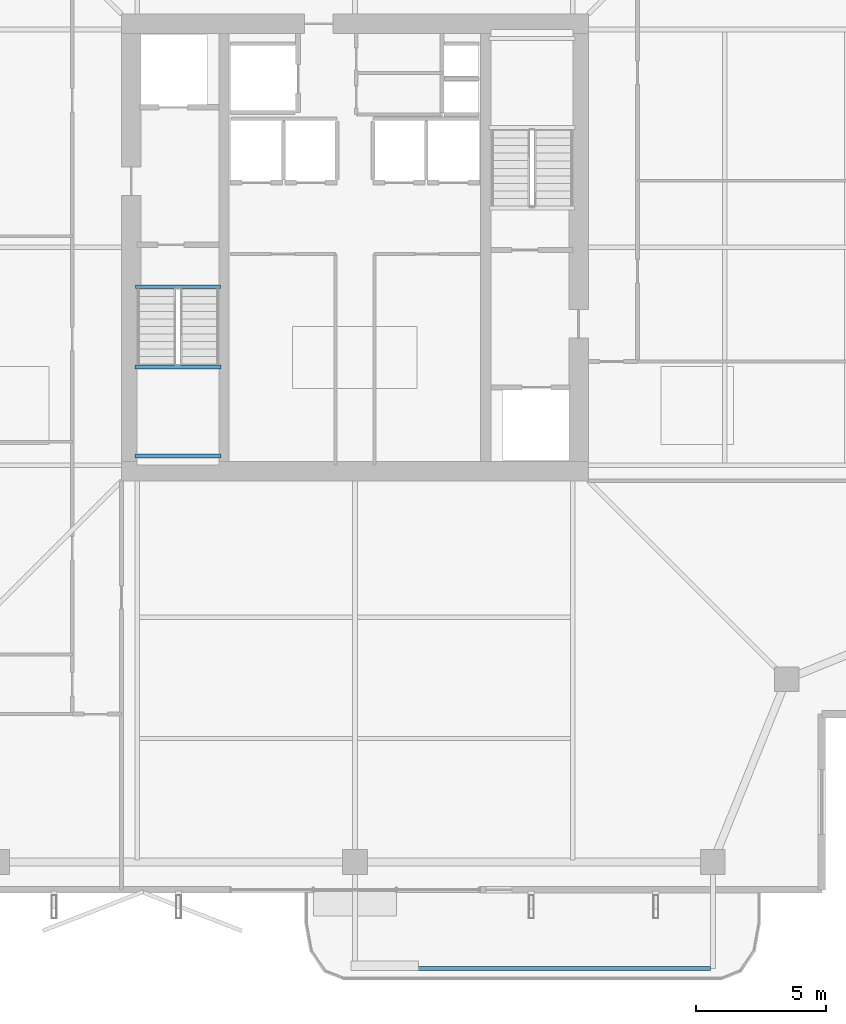
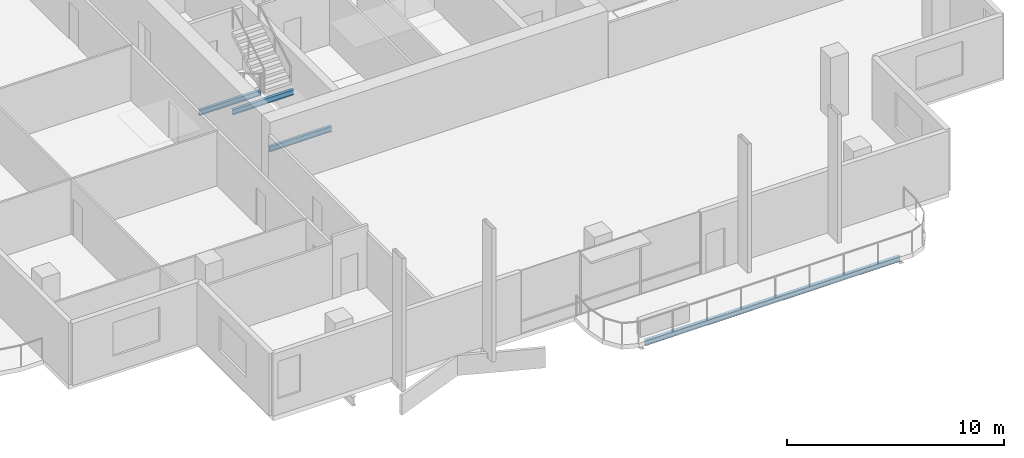
# One storey, part 7 of 25: 4 beams.
"""IFC4 building model written with IfcOpenShell, lengths in metres."""

from ifc_helpers import new_model, si_unit, direction, frame, origin, origin_2d, place, context, subcontext, project, spatial, i_section, extrude, material, material_profile, profile_set, type_object, element, save


model = new_model("IFC4")

# Units and contexts
model_context = context("Model", 3, precision=1e-05, world=origin(), true_north=direction((0.0, 1.0)))
body_context = subcontext(model_context, "Body", "Model", "MODEL_VIEW")
ifc_project = project(units=[si_unit("LENGTHUNIT", "METRE"), si_unit("AREAUNIT", "SQUARE_METRE"), si_unit("VOLUMEUNIT", "CUBIC_METRE"), si_unit("PLANEANGLEUNIT", "RADIAN"), si_unit("MASSUNIT", "GRAM", prefix="KILO")], contexts=[model_context])

# Site, building, storey
site_placement = place(None, origin())
site = spatial("IfcSite", under=ifc_project, at=site_placement, CompositionType="ELEMENT")
building_placement = place(site_placement, origin())
building = spatial("IfcBuilding", under=site, at=building_placement, Name="Belovzor Exchange Tower", CompositionType="ELEMENT")
storey_placement = place(building_placement, frame((0.0, 0.0, 257.85009765625)))
storey = spatial("IfcBuildingStorey", under=building, at=storey_placement, Name="L64", CompositionType="ELEMENT", Elevation=257.85009765625)

# Beams
ifc_material_1 = material(Name="Steel S355", Category="steel")
ifc_material_profile_1 = material_profile(ifc_material_1, i_section(OverallWidth=0.14990234375, OverallDepth=0.300048828125, WebThickness=0.007080078125, FlangeThickness=0.0107421875, at=origin_2d()))
ifc_profile_set_1 = profile_set([ifc_material_profile_1], Name="Steel S355")
beam_type_1 = type_object("IfcBeamType", Name="Planted Balcony Fascia Edge Beam IPE 300", PredefinedType="BEAM", material=ifc_profile_set_1)
beam_1_placement = place(storey_placement, frame((28.89990234375, 0.989013671875, -0.400146484375), z_axis=(1.0, 0.0, 0.0), x_axis=(0.0, 1.0, 0.0)))
element("IfcBeam", 1, at=beam_1_placement, inside=storey, type_object=beam_type_1, Name="BC-300 Planted Balcony Fascia Edge Beam IPE 300", PredefinedType="BEAM", context=body_context, shape_type="SweptSolid", body=[
    extrude(i_section(OverallWidth=0.14990234375, OverallDepth=0.300048828125, WebThickness=0.007080078125, FlangeThickness=0.0107421875, at=origin_2d()), origin(), (0.0, 0.0, 1.0), 13.60009765625),
])
ifc_material_2 = material(Name="Steel S355", Category="steel")
ifc_material_profile_2 = material_profile(ifc_material_2, i_section(OverallWidth=0.14990234375, OverallDepth=0.300048828125, WebThickness=0.007080078125, FlangeThickness=0.0107421875, at=origin_2d()))
ifc_profile_set_2 = profile_set([ifc_material_profile_2], Name="Steel S355")
beam_type_2 = type_object("IfcBeamType", Name="Secondary Trim Floor Joist IPE 300", PredefinedType="BEAM", material=ifc_profile_set_2)
for number, where, z_axis, x_axis, name in (
    (2, (20.320068359375, 24.179931640625, 1.52490234375), (1.0, 0.0, 0.0), (0.0, 1.0, 0.0), "FJ-300 Secondary Trim Floor Joist IPE 300"),
    (3, (20.320068359375, 20.75, 1.52490234375), (1.0, 0.0, 0.0), (0.0, 1.0, 0.0), "FJ-300 Secondary Trim Floor Joist IPE 300"),
):
    element("IfcBeam", number, at=place(storey_placement, frame(where, z_axis=z_axis, x_axis=x_axis)), inside=storey, type_object=beam_type_2, Name=name, PredefinedType="BEAM", context=body_context, shape_type="SweptSolid", body=[
        extrude(i_section(OverallWidth=0.14990234375, OverallDepth=0.300048828125, WebThickness=0.007080078125, FlangeThickness=0.0107421875, at=origin_2d()), origin(), (0.0, 0.0, 1.0), 3.309814453125),
    ])
beam_2_placement = place(storey_placement, frame((20.340087890625, 27.280029296875, -0.400146484375), z_axis=(1.0, 0.0, 0.0), x_axis=(0.0, 1.0, 0.0)))
element("IfcBeam", 4, at=beam_2_placement, inside=storey, type_object=beam_type_2, Name="FJ-300 Secondary Trim Floor Joist IPE 300", PredefinedType="BEAM", context=body_context, shape_type="SweptSolid", body=[
    extrude(i_section(OverallWidth=0.14990234375, OverallDepth=0.300048828125, WebThickness=0.007080078125, FlangeThickness=0.0107421875, at=origin_2d()), origin(), (0.0, 0.0, 1.0), 3.27001953125),
])

save(model, "model.ifc")
